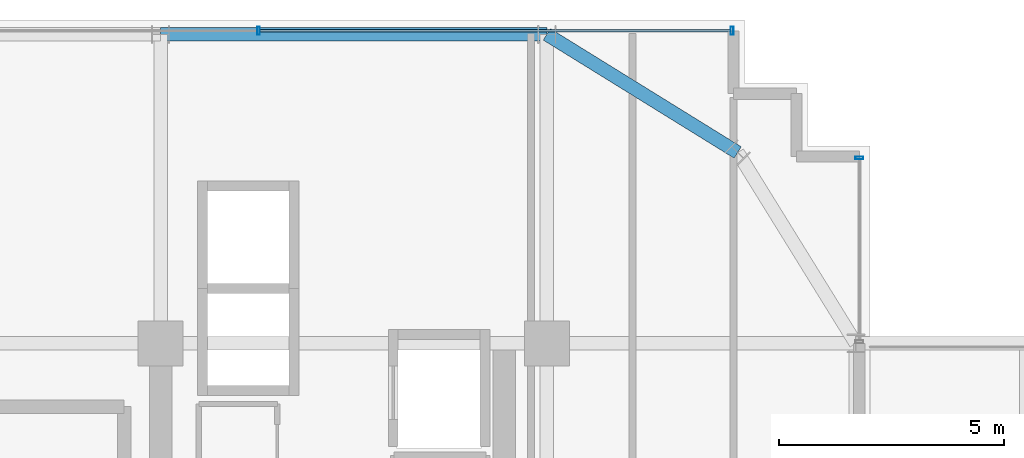
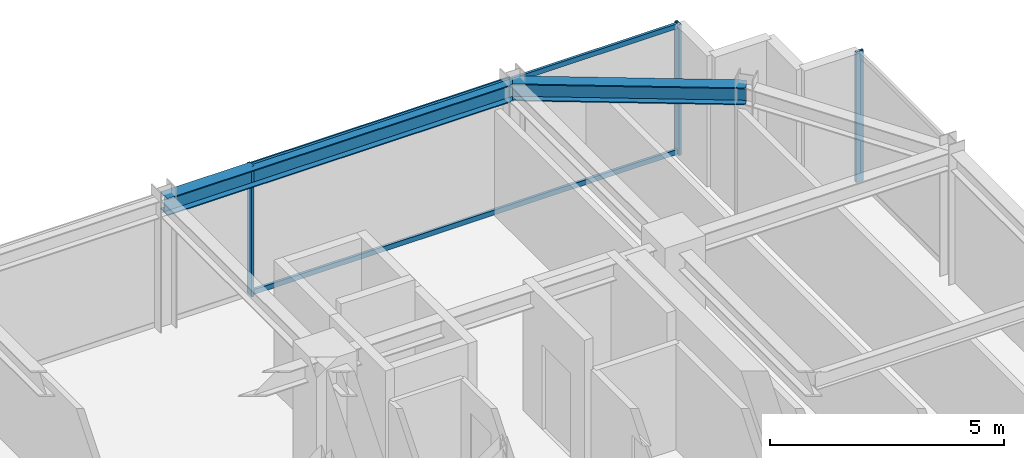
# One storey, part 26 of 34: 5 members, 2 beams, 2 elements without a shape of their own.
"""IFC4 building model written with IfcOpenShell, lengths in metres."""

from ifc_helpers import new_model, si_unit, direction, frame, origin, origin_2d, place, context, subcontext, project, spatial, hollow_rectangle, i_section, extrude, source, transform, mapped, material, material_profile, profile_set, type_object, element, aggregate, save


model = new_model("IFC4")

# Units and contexts
model_context = context("Model", 3, precision=1e-05, world=origin(), true_north=direction((0.0, 1.0)))
body_context = subcontext(model_context, "Body", "Model", "MODEL_VIEW")
ifc_project = project(units=[si_unit("LENGTHUNIT", "METRE"), si_unit("AREAUNIT", "SQUARE_METRE"), si_unit("VOLUMEUNIT", "CUBIC_METRE"), si_unit("PLANEANGLEUNIT", "RADIAN"), si_unit("MASSUNIT", "GRAM", prefix="KILO")], contexts=[model_context])

# Site, building, storey
site_placement = place(None, origin())
site = spatial("IfcSite", under=ifc_project, at=site_placement, CompositionType="ELEMENT")
building_placement = place(site_placement, origin())
building = spatial("IfcBuilding", under=site, at=building_placement, Name="Nahalor Promenade Grand Hotel", CompositionType="ELEMENT")
storey_placement = place(building_placement, frame((0.0, 0.0, 208.60009765625)))
storey = spatial("IfcBuildingStorey", under=building, at=storey_placement, Name="L53", CompositionType="ELEMENT", Elevation=208.60009765625)

# Beams
ifc_material_1 = material(Name="Steel S355JR", Category="steel")
ifc_material_profile_1 = material_profile(ifc_material_1, i_section(OverallWidth=0.3, OverallDepth=0.45, WebThickness=0.014, FlangeThickness=0.026, at=origin_2d()), Name="HEB 450")
ifc_profile_set_1 = profile_set([ifc_material_profile_1], Name="Steel S355JR")
beam_type = type_object("IfcBeamType", Name="Beam-Spandrel-HEB450", PredefinedType="SPANDREL", material=ifc_profile_set_1)
shared_shape_1 = source(origin(), body_context, "Body", "SweptSolid", [
    extrude(i_section(OverallWidth=0.3, OverallDepth=0.45, WebThickness=0.014, FlangeThickness=0.026, at=origin_2d()), origin(), (0.0, 0.0, 1.0), 8.60009765625),
])
beam_1_placement = place(storey_placement, frame((8.39990234375, 23.8798828125, 3.184814453125), z_axis=(1.0, 0.0, 0.0), x_axis=(0.0, 1.0, 0.0)))
element("IfcBeam", 1, at=beam_1_placement, inside=storey, type_object=beam_type, Name="BM-L53-SP-N-4", PredefinedType="SPANDREL", context=body_context, shape_type="MappedRepresentation", body=[
    mapped(shared_shape_1, transform((0.0, 0.0, 0.0), scale=1.0)),
])
shared_shape_2 = source(origin(), body_context, "Body", "SweptSolid", [
    extrude(i_section(OverallWidth=0.3, OverallDepth=0.45, WebThickness=0.014, FlangeThickness=0.026, at=origin_2d()), origin(), (0.0, 0.0, 1.0), 4.997802734375),
])
beam_2_placement = place(storey_placement, frame((17.0, 23.8798828125, 3.184814453125), z_axis=(0.850360908404, -0.526199891161, 0.0), x_axis=(0.526199891161, 0.850360908404, 0.0)))
element("IfcBeam", 2, at=beam_2_placement, inside=storey, type_object=beam_type, Name="BM-L53-SPC-NE-1", PredefinedType="SPANDREL", context=body_context, shape_type="MappedRepresentation", body=[
    mapped(shared_shape_2, transform((0.0, 0.0, 0.0), scale=1.0)),
])

# Curtain wall, members
ifc_material_2 = material(Name="Anodised Bronze Aluminium EN AW-6063 T6", Category="aluminium")
curtain_wall_type = type_object("IfcCurtainWallType", Name="CW2 Typical Hotel Flush Bronze Unitised Curtain Wall", PredefinedType="USERDEFINED", material=ifc_material_2)
curtain_wall_1_placement = place(storey_placement, origin())
curtain_wall_1 = element("IfcCurtainWall", 3, at=curtain_wall_1_placement, inside=storey, type_object=curtain_wall_type, Name="L53 Curtain Wall CW-L53-N-1", ObjectType="UNITISED_CURTAIN_WALL", PredefinedType="USERDEFINED")
ifc_material_profile_2 = material_profile(ifc_material_2, hollow_rectangle(XDim=0.065, YDim=0.13, WallThickness=0.004, at=origin_2d()), Name="CWT 65x130x4")
ifc_profile_set_2 = profile_set([ifc_material_profile_2], Name="Anodised Bronze Aluminium EN AW-6063 T6")
member_type_1 = type_object("IfcMemberType", Name="CWT2 Typical Bronze Transom 65x130", PredefinedType="USERDEFINED", material=ifc_profile_set_2)
shared_shape_3 = source(origin(), body_context, "Body", "SweptSolid", [
    extrude(hollow_rectangle(XDim=0.065, YDim=0.13, WallThickness=0.004, at=origin_2d()), origin(), (0.0, 0.0, 1.0), 10.482421875),
])
member_1_placement = place(storey_placement, frame((10.612548828125, 23.9599609375, 0.06494140625), z_axis=(1.0, 0.0, 0.0), x_axis=(0.0, 1.0, 0.0)))
member_1 = element("IfcMember", 4, at=member_1_placement, type_object=member_type_1, Name="CW-L53-N-1 Transom 3-0", ObjectType="TRANSOM", PredefinedType="USERDEFINED", context=body_context, shape_type="MappedRepresentation", body=[
    mapped(shared_shape_3, transform((0.0, 0.0, 0.0), scale=1.0)),
])
member_2_placement = place(storey_placement, frame((10.612548828125, 23.9599609375, 3.344970703125), z_axis=(1.0, 0.0, 0.0), x_axis=(0.0, 1.0, 0.0)))
member_2 = element("IfcMember", 5, at=member_2_placement, type_object=member_type_1, Name="CW-L53-N-1 Transom 3-1", ObjectType="TRANSOM", PredefinedType="USERDEFINED", context=body_context, shape_type="MappedRepresentation", body=[
    mapped(shared_shape_3, transform((0.0, 0.0, 0.0), scale=1.0)),
])
ifc_material_profile_3 = material_profile(ifc_material_2, hollow_rectangle(XDim=0.065, YDim=0.18, WallThickness=0.004, at=origin_2d()), Name="CWM 65x180x4")
ifc_profile_set_3 = profile_set([ifc_material_profile_3], Name="Anodised Bronze Aluminium EN AW-6063 T6")
member_type_2 = type_object("IfcMemberType", Name="CWM2 Typical Bronze Mullion 65x180", PredefinedType="MULLION", material=ifc_profile_set_3)
shared_shape_4 = source(origin(), body_context, "Body", "SweptSolid", [
    extrude(hollow_rectangle(XDim=0.065, YDim=0.18, WallThickness=0.004, at=origin_2d()), origin(), (0.0, 0.0, 1.0), 3.409912109375),
])
member_3_placement = place(storey_placement, frame((10.580078125, 23.9599609375, 0.0), z_axis=(0.0, 0.0, 1.0), x_axis=(1.0, 0.0, 0.0)))
member_3 = element("IfcMember", 6, at=member_3_placement, type_object=member_type_2, Name="CW-L53-N-1 Mullion 3", PredefinedType="MULLION", context=body_context, shape_type="MappedRepresentation", body=[
    mapped(shared_shape_4, transform((0.0, 0.0, 0.0), scale=1.0)),
])
member_4_placement = place(storey_placement, frame((21.12744140625, 23.9599609375, 0.0), z_axis=(0.0, 0.0, 1.0), x_axis=(1.0, 0.0, 0.0)))
member_4 = element("IfcMember", 7, at=member_4_placement, type_object=member_type_2, Name="CW-L53-N-1 Mullion 4", PredefinedType="MULLION", context=body_context, shape_type="MappedRepresentation", body=[
    mapped(shared_shape_4, transform((0.0, 0.0, 0.0), scale=1.0)),
])
aggregate(curtain_wall_1, [member_3, member_4, member_1, member_2])

# Curtain wall, member
curtain_wall_2_placement = place(storey_placement, origin())
curtain_wall_2 = element("IfcCurtainWall", 8, at=curtain_wall_2_placement, inside=storey, type_object=curtain_wall_type, Name="L53 Curtain Wall CW-L53-E-3", ObjectType="UNITISED_CURTAIN_WALL", PredefinedType="USERDEFINED")
member_5_placement = place(storey_placement, frame((23.9599609375, 21.12744140625, 0.0), z_axis=(0.0, 0.0, 1.0), x_axis=(0.0, 1.0, 0.0)))
member_5 = element("IfcMember", 9, at=member_5_placement, type_object=member_type_2, Name="CW-L53-E-3 Mullion 1", PredefinedType="MULLION", context=body_context, shape_type="MappedRepresentation", body=[
    mapped(shared_shape_4, transform((0.0, 0.0, 0.0), scale=1.0)),
])
aggregate(curtain_wall_2, [member_5])

save(model, "model.ifc")
